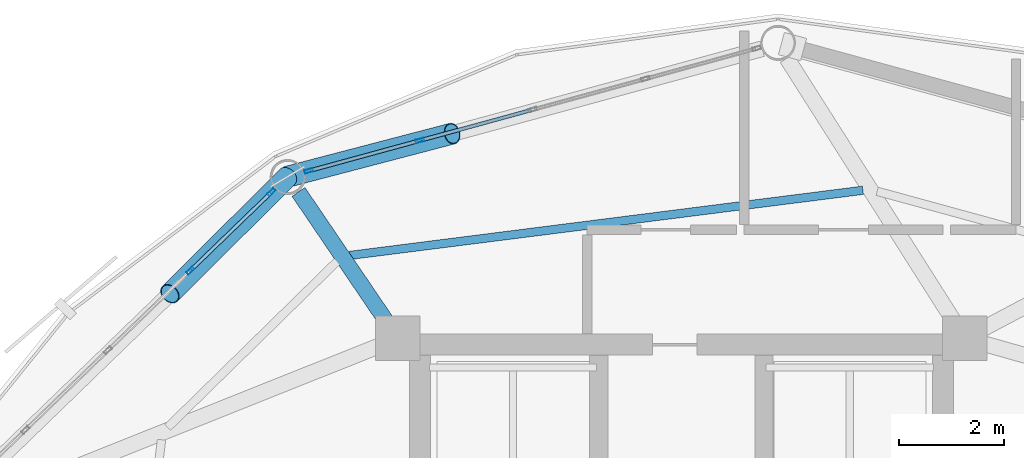
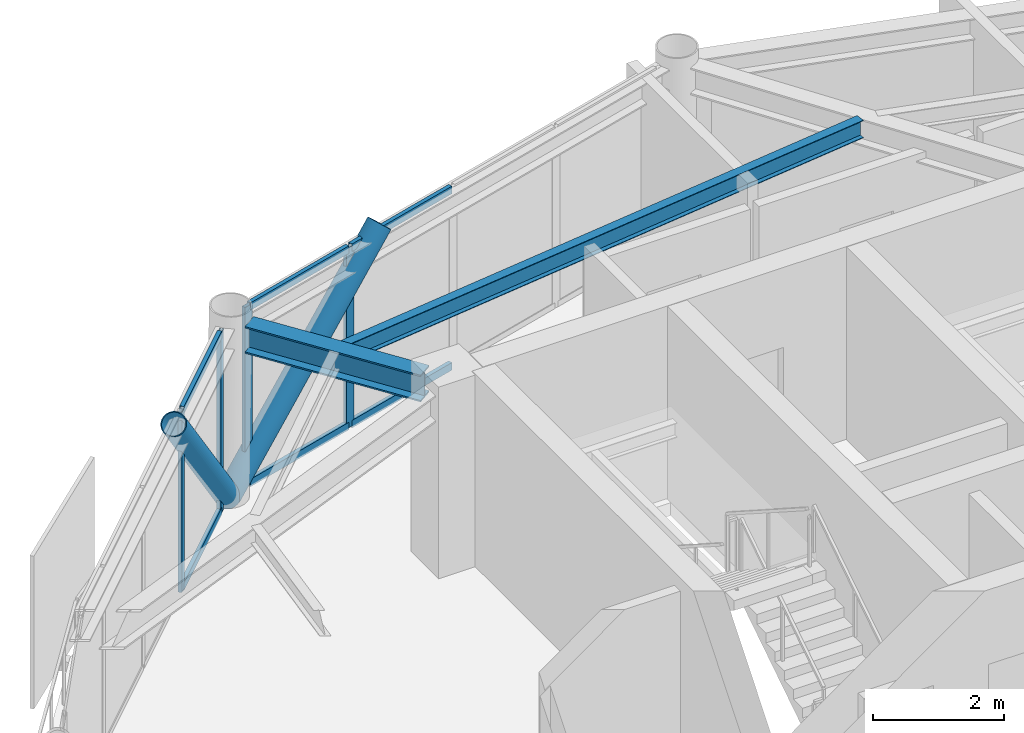
# One storey, part 18 of 28: 12 members, 2 beams, 2 elements without a shape of their own.
"""IFC4 building model written with IfcOpenShell, lengths in metres."""

from ifc_helpers import new_model, si_unit, direction, frame, origin, origin_2d, place, context, subcontext, project, spatial, hollow_rectangle, hollow_circle, i_section, extrude, material, layer, layer_set, material_profile, profile_set, type_object, element, aggregate, save


model = new_model("IFC4")

# Units and contexts
model_context = context("Model", 3, precision=1e-05, world=origin(), true_north=direction((0.0, 1.0)))
body_context = subcontext(model_context, "Body", "Model", "MODEL_VIEW")
ifc_project = project(units=[si_unit("LENGTHUNIT", "METRE"), si_unit("AREAUNIT", "SQUARE_METRE"), si_unit("VOLUMEUNIT", "CUBIC_METRE"), si_unit("PLANEANGLEUNIT", "RADIAN"), si_unit("MASSUNIT", "GRAM", prefix="KILO")], contexts=[model_context])

# Site, building, storey
site_placement = place(None, origin())
site = spatial("IfcSite", under=ifc_project, at=site_placement, CompositionType="ELEMENT")
building_placement = place(site_placement, origin())
building = spatial("IfcBuilding", under=site, at=building_placement, Name="Varnakorn Sky Granary", CompositionType="ELEMENT")
storey_placement = place(building_placement, frame((0.0, 0.0, 225.60009765625)))
storey = spatial("IfcBuildingStorey", under=building, at=storey_placement, Name="L57", CompositionType="ELEMENT", Elevation=225.60009765625)

# Beams
ifc_material_1 = material(Name="Steel S355JR", Category="steel")
ifc_material_profile_1 = material_profile(ifc_material_1, i_section(OverallWidth=0.300048828125, OverallDepth=0.5, WebThickness=0.014404296875, FlangeThickness=0.028076171875, at=origin_2d()), Name="HE 500 B")
ifc_profile_set_1 = profile_set([ifc_material_profile_1], Name="Steel S355JR")
beam_type_1 = type_object("IfcBeamType", Name="BM-RAD-Z4", PredefinedType="BEAM", material=ifc_profile_set_1)
beam_1_placement = place(storey_placement, frame((-2.647705078125, 12.955078125, 3.10986328125), z_axis=(-0.561938030247, 0.827179333737, 0.0), x_axis=(-0.827179333737, -0.561938030247, 0.0)))
element("IfcBeam", 1, at=beam_1_placement, inside=storey, type_object=beam_type_1, Name="Radial Floor Girder RG05 L57", PredefinedType="BEAM", context=body_context, shape_type="SweptSolid", body=[
    extrude(i_section(OverallWidth=0.300048828125, OverallDepth=0.5, WebThickness=0.014404296875, FlangeThickness=0.028076171875, at=origin_2d()), origin(), (0.0, 0.0, 1.0), 2.98046875),
])
ifc_material_profile_2 = material_profile(ifc_material_1, i_section(OverallWidth=0.159912109375, OverallDepth=0.330078125, WebThickness=0.007568359375, FlangeThickness=0.011474609375, at=origin_2d()), Name="IPE 330")
ifc_profile_set_2 = profile_set([ifc_material_profile_2], Name="Steel S355JR")
beam_type_2 = type_object("IfcBeamType", Name="BM-SEC-Z4", PredefinedType="BEAM", material=ifc_profile_set_2)
beam_2_placement = place(storey_placement, frame((6.471923828125, 15.451416015625, 3.19482421875), z_axis=(-0.992041947888, -0.125907798135, 0.0), x_axis=(0.125907798135, -0.992041947888, 0.0)))
element("IfcBeam", 2, at=beam_2_placement, inside=storey, type_object=beam_type_2, Name="Secondary Floor Chord Beam MSB04 L57", PredefinedType="BEAM", context=body_context, shape_type="SweptSolid", body=[
    extrude(i_section(OverallWidth=0.159912109375, OverallDepth=0.330078125, WebThickness=0.007568359375, FlangeThickness=0.011474609375, at=origin_2d()), origin(), (0.0, 0.0, 1.0), 9.89697265625),
])

# Curtain wall, members
ifc_material_2 = material(Name="Anodised Bronze Aluminium Alloy 6063-T6", Category="aluminium")
ifc_layer = layer(ifc_material_2, 0.169921875, Name="Anodised Bronze Aluminium Alloy 6063-T6")
ifc_layer_set = layer_set([ifc_layer], Name="Anodised Bronze Aluminium Alloy 6063-T6")
curtain_wall_type = type_object("IfcCurtainWallType", Name="CW-LAB-1", PredefinedType="USERDEFINED", material=ifc_layer_set)
curtain_wall_1_placement = place(storey_placement, origin())
curtain_wall_1 = element("IfcCurtainWall", 3, at=curtain_wall_1_placement, inside=storey, type_object=curtain_wall_type, Name="Unitised Curtain Wall CW5 CW-L57-B04", ObjectType="CURTAIN WALL", PredefinedType="USERDEFINED")
ifc_material_profile_3 = material_profile(ifc_material_2, hollow_rectangle(XDim=0.06494140625, YDim=0.159912109375, WallThickness=0.00341796875, at=origin_2d()), Name="ALU MULL 65x160")
ifc_profile_set_3 = profile_set([ifc_material_profile_3], Name="Anodised Bronze Aluminium Alloy 6063-T6")
member_type_1 = type_object("IfcMemberType", Name="CW-LAB-1-MULL", PredefinedType="MULLION", material=ifc_profile_set_3)
member_1_placement = place(storey_placement, frame((-4.1259765625, 15.822021484375, 0.0), z_axis=(0.0, 0.0, 1.0), x_axis=(-0.263727295767, 0.964597280458, 0.0)))
member_1 = element("IfcMember", 4, at=member_1_placement, type_object=member_type_1, Name="CW5 mullion 1", PredefinedType="MULLION", context=body_context, shape_type="SweptSolid", body=[
    extrude(hollow_rectangle(XDim=0.06494140625, YDim=0.159912109375, WallThickness=0.00341796875, at=origin_2d()), origin(), (0.0, 0.0, 1.0), 3.35986328125),
])
member_2_placement = place(storey_placement, frame((-1.99951171875, 16.4033203125, 0.0), z_axis=(0.0, 0.0, 1.0), x_axis=(-0.263727295767, 0.964597280458, 0.0)))
member_2 = element("IfcMember", 5, at=member_2_placement, type_object=member_type_1, Name="CW5 mullion 2", PredefinedType="MULLION", context=body_context, shape_type="SweptSolid", body=[
    extrude(hollow_rectangle(XDim=0.06494140625, YDim=0.159912109375, WallThickness=0.00341796875, at=origin_2d()), origin(), (0.0, 0.0, 1.0), 3.35986328125),
])

curtain_wall_2_placement = place(storey_placement, origin())
curtain_wall_2 = element("IfcCurtainWall", 6, at=curtain_wall_2_placement, inside=storey, type_object=curtain_wall_type, Name="Unitised Curtain Wall CW5 CW-L57-B05", ObjectType="CURTAIN WALL", PredefinedType="USERDEFINED")
member_3_placement = place(storey_placement, frame((-6.39111328125, 13.9150390625, 0.0), z_axis=(0.0, 0.0, 1.0), x_axis=(-0.695009134591, 0.719000906004, 0.0)))
member_3 = element("IfcMember", 7, at=member_3_placement, type_object=member_type_1, Name="CW5 mullion 4", PredefinedType="MULLION", context=body_context, shape_type="SweptSolid", body=[
    extrude(hollow_rectangle(XDim=0.06494140625, YDim=0.159912109375, WallThickness=0.00341796875, at=origin_2d()), origin(), (0.0, 0.0, 1.0), 3.35986328125),
])
member_4_placement = place(storey_placement, frame((-4.837158203125, 15.4169921875, 0.0), z_axis=(0.0, 0.0, 1.0), x_axis=(-0.695009134591, 0.719000906004, 0.0)))
member_4 = element("IfcMember", 8, at=member_4_placement, type_object=member_type_1, Name="CW5 mullion 5", PredefinedType="MULLION", context=body_context, shape_type="SweptSolid", body=[
    extrude(hollow_rectangle(XDim=0.06494140625, YDim=0.159912109375, WallThickness=0.00341796875, at=origin_2d()), origin(), (0.0, 0.0, 1.0), 3.35986328125),
])

# Member
ifc_material_profile_4 = material_profile(ifc_material_2, hollow_rectangle(XDim=0.070068359375, YDim=0.139892578125, WallThickness=0.00341796875, at=origin_2d()), Name="ALU TRAN 70x140")
ifc_profile_set_4 = profile_set([ifc_material_profile_4], Name="Anodised Bronze Aluminium Alloy 6063-T6")
member_type_2 = type_object("IfcMemberType", Name="CW-LAB-1-TRAN", PredefinedType="USERDEFINED", material=ifc_profile_set_4)
member_5_placement = place(storey_placement, frame((-4.094482421875, 15.83056640625, 0.034912109375), z_axis=(0.964600365591, 0.263716011461, 0.0), x_axis=(-0.263716011461, 0.964600365591, 0.0)))
member_5 = element("IfcMember", 9, at=member_5_placement, type_object=member_type_2, Name="CW5 transom 1.1", ObjectType="TRANSOM", PredefinedType="USERDEFINED", context=body_context, shape_type="SweptSolid", body=[
    extrude(hollow_rectangle(XDim=0.070068359375, YDim=0.139892578125, WallThickness=0.00341796875, at=origin_2d()), origin(), (0.0, 0.0, 1.0), 2.139404296875),
])

member_6_placement = place(storey_placement, frame((-4.094482421875, 15.83056640625, 3.324951171875), z_axis=(0.964600365591, 0.263716011461, 0.0), x_axis=(-0.263716011461, 0.964600365591, 0.0)))
member_6 = element("IfcMember", 10, at=member_6_placement, type_object=member_type_2, Name="CW5 transom 1.2", ObjectType="TRANSOM", PredefinedType="USERDEFINED", context=body_context, shape_type="SweptSolid", body=[
    extrude(hollow_rectangle(XDim=0.070068359375, YDim=0.139892578125, WallThickness=0.00341796875, at=origin_2d()), origin(), (0.0, 0.0, 1.0), 2.139404296875),
])

member_7_placement = place(storey_placement, frame((-1.96826171875, 16.411865234375, 0.034912109375), z_axis=(0.964608023122, 0.263688000728, 0.0), x_axis=(-0.263688000728, 0.964608023122, 0.0)))
member_7 = element("IfcMember", 11, at=member_7_placement, type_object=member_type_2, Name="CW5 transom 2.1", ObjectType="TRANSOM", PredefinedType="USERDEFINED", context=body_context, shape_type="SweptSolid", body=[
    extrude(hollow_rectangle(XDim=0.070068359375, YDim=0.139892578125, WallThickness=0.00341796875, at=origin_2d()), origin(), (0.0, 0.0, 1.0), 2.172119140625),
])

member_8_placement = place(storey_placement, frame((-1.96826171875, 16.411865234375, 3.324951171875), z_axis=(0.964608023122, 0.263688000728, 0.0), x_axis=(-0.263688000728, 0.964608023122, 0.0)))
member_8 = element("IfcMember", 12, at=member_8_placement, type_object=member_type_2, Name="CW5 transom 2.2", ObjectType="TRANSOM", PredefinedType="USERDEFINED", context=body_context, shape_type="SweptSolid", body=[
    extrude(hollow_rectangle(XDim=0.070068359375, YDim=0.139892578125, WallThickness=0.00341796875, at=origin_2d()), origin(), (0.0, 0.0, 1.0), 2.172119140625),
])

aggregate(curtain_wall_1, [member_1, member_2, member_5, member_6, member_7, member_8])

member_9_placement = place(storey_placement, frame((-6.36767578125, 13.9375, 0.034912109375), z_axis=(0.71900195689, 0.695008047427, 0.0), x_axis=(-0.695008047427, 0.71900195689, 0.0)))
member_9 = element("IfcMember", 13, at=member_9_placement, type_object=member_type_2, Name="CW5 transom 4.1", ObjectType="TRANSOM", PredefinedType="USERDEFINED", context=body_context, shape_type="SweptSolid", body=[
    extrude(hollow_rectangle(XDim=0.070068359375, YDim=0.139892578125, WallThickness=0.00341796875, at=origin_2d()), origin(), (0.0, 0.0, 1.0), 2.09619140625),
])

member_10_placement = place(storey_placement, frame((-6.36767578125, 13.9375, 3.324951171875), z_axis=(0.71900195689, 0.695008047427, 0.0), x_axis=(-0.695008047427, 0.71900195689, 0.0)))
member_10 = element("IfcMember", 14, at=member_10_placement, type_object=member_type_2, Name="CW5 transom 4.2", ObjectType="TRANSOM", PredefinedType="USERDEFINED", context=body_context, shape_type="SweptSolid", body=[
    extrude(hollow_rectangle(XDim=0.070068359375, YDim=0.139892578125, WallThickness=0.00341796875, at=origin_2d()), origin(), (0.0, 0.0, 1.0), 2.09619140625),
])

aggregate(curtain_wall_2, [member_3, member_4, member_9, member_10])

# Members
ifc_material_3 = material(Name="Steel S460M", Category="steel")
ifc_material_profile_5 = material_profile(ifc_material_3, hollow_circle(Radius=0.203125, WallThickness=0.01611328125, at=origin_2d()), Name="CHS 406.4x16")
ifc_profile_set_5 = profile_set([ifc_material_profile_5], Name="Steel S460M")
member_type_3 = type_object("IfcMemberType", Name="MB-DIAG-T4", PredefinedType="BRACE", material=ifc_profile_set_5)
member_11_placement = place(storey_placement, frame((-4.533447265625, 15.710693359375, 0.0), z_axis=(0.660009391613, 0.172623349093, 0.731155785268), x_axis=(-0.253035301521, 0.96745704617, 0.0)))
element("IfcMember", 15, at=member_11_placement, inside=storey, type_object=member_type_3, Name="Perimeter CHS Diagrid Brace DG04 L57", PredefinedType="BRACE", context=body_context, shape_type="SweptSolid", body=[
    extrude(hollow_circle(Radius=0.203125, WallThickness=0.01611328125, at=origin_2d()), origin(), (0.0, 0.0, 1.0), 4.773193359375),
])
member_12_placement = place(storey_placement, frame((-4.533447265625, 15.710693359375, 0.0), z_axis=(-0.476549577722, -0.47468603386, 0.739982208726), x_axis=(0.705720150245, -0.708490698272, 0.0)))
element("IfcMember", 16, at=member_12_placement, inside=storey, type_object=member_type_3, Name="Perimeter CHS Diagrid Brace DG05 L57", PredefinedType="BRACE", context=body_context, shape_type="SweptSolid", body=[
    extrude(hollow_circle(Radius=0.203125, WallThickness=0.01611328125, at=origin_2d()), origin(), (0.0, 0.0, 1.0), 4.71630859375),
])

save(model, "model.ifc")
